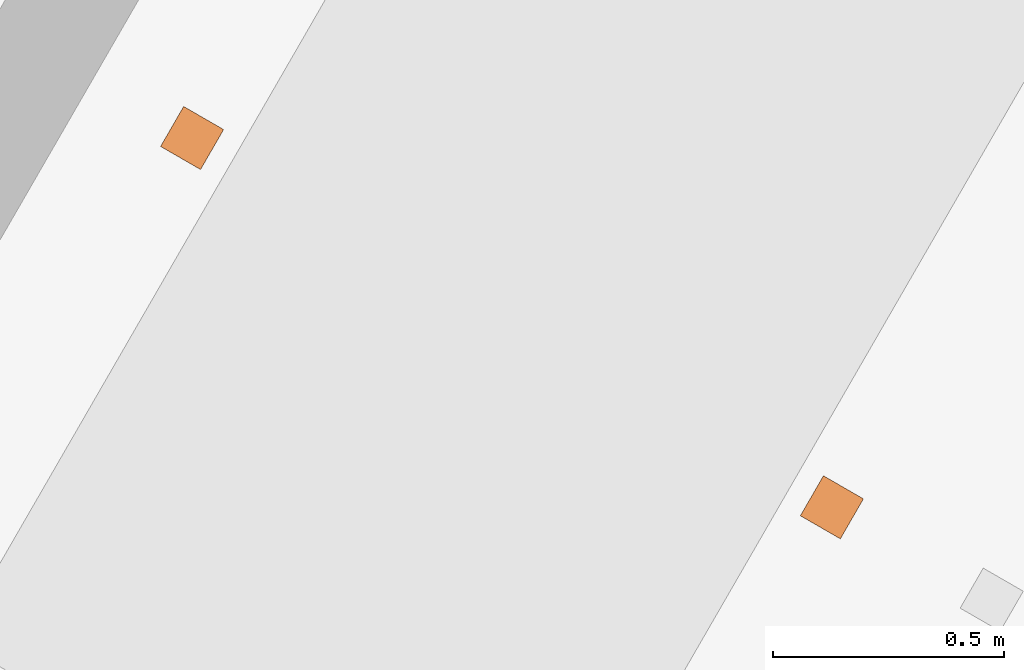
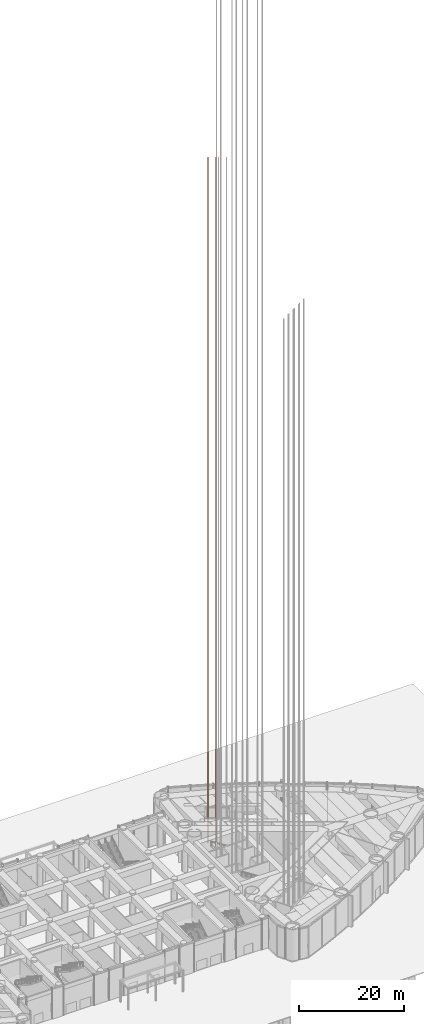
# One storey, part 42 of 43: 1 proxy.
"""IFC4 building model written with IfcOpenShell, lengths in metres."""

from ifc_helpers import new_model, si_unit, direction, frame, origin, origin_2d, place, context, subcontext, project, spatial, rectangle, extrude, material, type_object, element, save


model = new_model("IFC4")

# Units and contexts
model_context = context("Model", 3, precision=1e-05, world=origin(), true_north=direction((0.0, 1.0)))
body_context = subcontext(model_context, "Body", "Model", "MODEL_VIEW")
ifc_project = project(units=[si_unit("LENGTHUNIT", "METRE"), si_unit("AREAUNIT", "SQUARE_METRE"), si_unit("VOLUMEUNIT", "CUBIC_METRE"), si_unit("PLANEANGLEUNIT", "RADIAN"), si_unit("MASSUNIT", "GRAM", prefix="KILO")], contexts=[model_context])

# Site, building, storey
site_placement = place(None, origin())
site = spatial("IfcSite", under=ifc_project, at=site_placement, CompositionType="ELEMENT")
building_placement = place(site_placement, origin())
building = spatial("IfcBuilding", under=site, at=building_placement, Name="Lancet Gate Hotel", CompositionType="ELEMENT")
storey_placement = place(building_placement, origin())
storey = spatial("IfcBuildingStorey", under=building, at=storey_placement, Name="L00", CompositionType="ELEMENT", Elevation=0.0)

# Proxy
ifc_material = material(Name="Steel S355", Category="steel")
building_element_proxy_type = type_object("IfcBuildingElementProxyType", Name="Lift guide rails", PredefinedType="USERDEFINED", material=ifc_material)
proxy_placement = place(storey_placement, frame((35.4970703125, 15.41845703125, 0.0), z_axis=(0.0, 0.0, 1.0), x_axis=(0.499916865226, 0.866073396349, 0.0)))
element("IfcBuildingElementProxy", 1, at=proxy_placement, inside=storey, type_object=building_element_proxy_type, Name="T2-EX1 guide rails", ObjectType="LIFT GUIDE RAILS", PredefinedType="USERDEFINED", context=body_context, shape_type="SweptSolid", body=[
    extrude(rectangle(XDim=0.1, YDim=0.1, at=origin_2d()), frame((0.0, -0.800048828125, 0.0)), (0.0, 0.0, 1.0), 159.300048828125),
    extrude(rectangle(XDim=0.1, YDim=0.1, at=origin_2d()), frame((0.0, 0.800048828125, 0.0)), (0.0, 0.0, 1.0), 159.300048828125),
])

save(model, "model.ifc")
